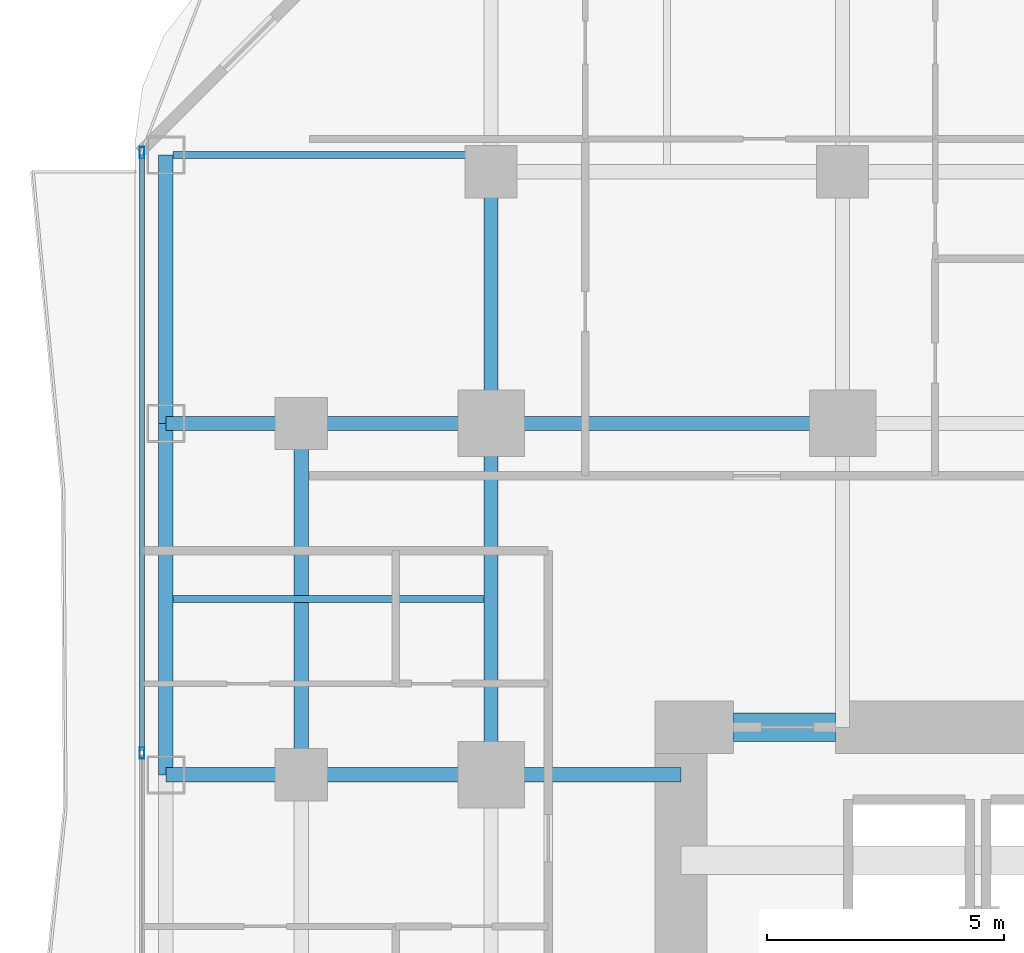
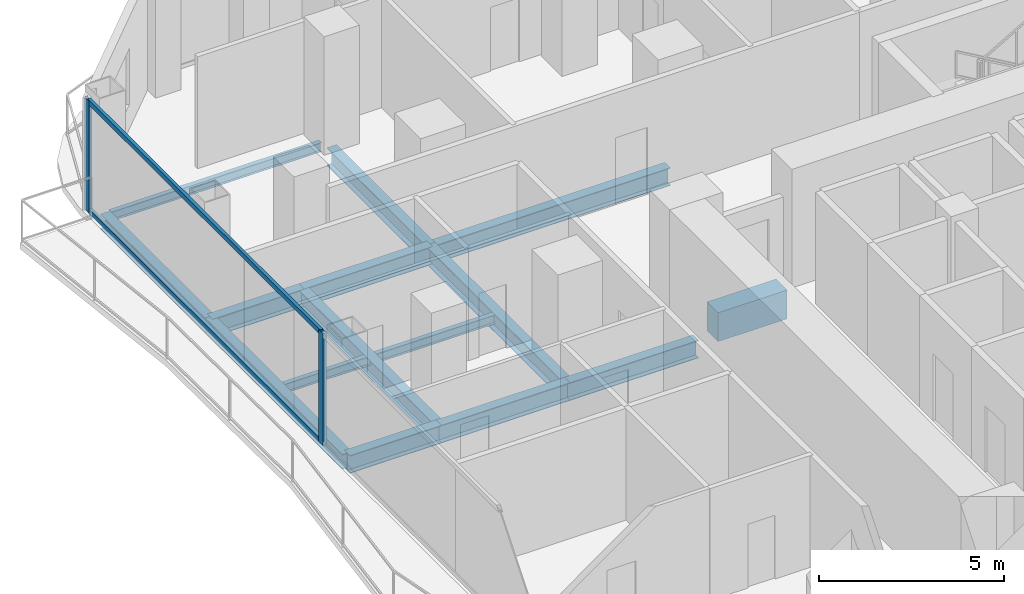
# One storey, part 13 of 28: 14 beams, 4 members, 1 element without a shape of its own.
"""IFC4 building model written with IfcOpenShell, lengths in metres."""

import ifcopenshell
import ifcopenshell.guid

model = None  # the IFC model being written
_history = None  # IfcOwnerHistory: only IFC2X3 demands one
_inside = {}  # id of a spatial element -> (the spatial element, [elements in it])
_under = {}  # id of a project, library or spatial element -> (it, [spatial elements below it])
_declared = {}  # id of a project -> (the project, [libraries it declares])
_typed = {}  # id of a type object -> (the type object, [elements of that type])
_made_of = {}  # id of a material, layer set ... -> (it, [elements and type objects made of it])


def new_model(schema):
    """Start an empty IFC model of exactly this schema.

    Asked for "IFC4X3", IfcOpenShell would pick the latest addendum, in which some entities
    have other attributes; the version numbers below select the first issue.
    IFC2X3 requires an IfcOwnerHistory on every rooted entity: one is made here for all.
    """
    global model, _history
    if schema == "IFC4X3":
        model = ifcopenshell.file(schema_version=(4, 3, 0, 0))
    else:
        model = ifcopenshell.file(schema=schema)
    _inside.clear()
    _under.clear()
    _declared.clear()
    _typed.clear()
    _made_of.clear()
    _history = None
    if model.schema == "IFC2X3":
        org = make("IfcOrganization", Name="unknown")
        user = make(
            "IfcPersonAndOrganization",
            ThePerson=make("IfcPerson", FamilyName="unknown"),
            TheOrganization=org,
        )
        app = make(
            "IfcApplication",
            ApplicationDeveloper=org,
            Version="unknown",
            ApplicationFullName="unknown",
            ApplicationIdentifier="unknown",
        )
        _history = make(
            "IfcOwnerHistory",
            OwningUser=user,
            OwningApplication=app,
            ChangeAction="ADDED",
            CreationDate=0,
        )
    return model


def make(cls, **values):
    """One entity of the class cls with the attributes given. An attribute that is None is left unset."""
    return model.create_entity(
        cls, **{name: value for name, value in values.items() if value is not None}
    )


def rooted(cls, **values):
    """An entity with a GlobalId (a new one), such as an element, a storey or a relation."""
    return make(cls, GlobalId=ifcopenshell.guid.new(), OwnerHistory=_history, **values)


def si_unit(unit_type, name, prefix=None):
    """IfcSIUnit, for example si_unit("LENGTHUNIT", "METRE", prefix="MILLI")."""
    return make("IfcSIUnit", UnitType=unit_type, Prefix=prefix, Name=name)


def assignment(units):
    """IfcUnitAssignment: the units of a project."""
    return None if units is None else make("IfcUnitAssignment", Units=units)


def point(xyz):
    """IfcCartesianPoint."""
    return None if xyz is None else make("IfcCartesianPoint", Coordinates=xyz)


def direction(xyz):
    """IfcDirection."""
    return None if xyz is None else make("IfcDirection", DirectionRatios=xyz)


def frame(location, z_axis=None, x_axis=None):
    """IfcAxis2Placement3D, a coordinate frame: its origin and axes. An axis left out is left unset."""
    return make(
        "IfcAxis2Placement3D",
        Location=point(location),
        Axis=direction(z_axis),
        RefDirection=direction(x_axis),
    )


def frame_2d(location, x_axis=None):
    """IfcAxis2Placement2D, a coordinate frame in the plane: its origin and x axis."""
    return make(
        "IfcAxis2Placement2D", Location=point(location), RefDirection=direction(x_axis)
    )


def origin():
    """The frame at (0, 0, 0) with its axes left unset."""
    return frame((0.0, 0.0, 0.0))


def origin_2d():
    """The frame at (0, 0) in the plane with its x axis left unset."""
    return frame_2d((0.0, 0.0))


def place(relative_to, where):
    """IfcLocalPlacement: puts the frame where relative to a parent placement (None: the world)."""
    return make(
        "IfcLocalPlacement", PlacementRelTo=relative_to, RelativePlacement=where
    )


def context(
    kind, dimensions, precision=None, world=None, true_north=None, identifier=None
):
    """IfcGeometricRepresentationContext, for example the 3D "Model" context."""
    return make(
        "IfcGeometricRepresentationContext",
        ContextIdentifier=identifier,
        ContextType=kind,
        CoordinateSpaceDimension=dimensions,
        Precision=precision,
        WorldCoordinateSystem=world,
        TrueNorth=true_north,
    )


def subcontext(parent, identifier, kind, view, scale=None):
    """IfcGeometricRepresentationSubContext, for example "Body" below "Model"."""
    return make(
        "IfcGeometricRepresentationSubContext",
        ContextIdentifier=identifier,
        ContextType=kind,
        ParentContext=parent,
        TargetScale=scale,
        TargetView=view,
    )


def project(units=None, contexts=None):
    """IfcProject with its units and contexts."""
    return rooted(
        "IfcProject",
        Name="project",
        RepresentationContexts=contexts,
        UnitsInContext=assignment(units),
    )


def spatial(cls, under=None, at=None, **own):
    """A site, building, storey or space (cls), placed at a placement, below another one or the project."""
    s = rooted(cls, ObjectPlacement=at, **own)
    if under is not None:
        _under.setdefault(under.id(), (under, []))[1].append(s)
    return s


def profile(cls, at=None, kind="AREA", **sizes):
    """A parametric profile (cls). Its sizes go by their IFC names, for example OverallWidth=200.0."""
    return make(cls, ProfileType=kind, Position=at, **sizes)


def rectangle(**sizes):
    """IfcRectangleProfileDef."""
    return profile("IfcRectangleProfileDef", **sizes)


def hollow_rectangle(**sizes):
    """IfcRectangleHollowProfileDef."""
    return profile("IfcRectangleHollowProfileDef", **sizes)


def i_section(**sizes):
    """IfcIShapeProfileDef."""
    return profile("IfcIShapeProfileDef", **sizes)


def extrude(swept, where, along, depth):
    """IfcExtrudedAreaSolid: the profile swept, set in the frame where, extruded along a direction by depth."""
    return make(
        "IfcExtrudedAreaSolid",
        SweptArea=swept,
        Position=where,
        ExtrudedDirection=direction(along),
        Depth=depth,
    )


def shape(context_of_items, identifier, shape_type, items):
    """IfcShapeRepresentation: the items that make up one representation, for example the "Body"."""
    return make(
        "IfcShapeRepresentation",
        ContextOfItems=context_of_items,
        RepresentationIdentifier=identifier,
        RepresentationType=shape_type,
        Items=items,
    )


def material(Name=None, Category=None):
    """IfcMaterial."""
    return make("IfcMaterial", Name=Name, Category=Category)


def layer(
    of_material, thickness, ventilated=None, Name=None, Category=None, Priority=None
):
    """IfcMaterialLayer: one layer of a wall or slab, of a material (None: an air gap)."""
    return make(
        "IfcMaterialLayer",
        Material=of_material,
        LayerThickness=thickness,
        IsVentilated=ventilated,
        Name=Name,
        Category=Category,
        Priority=Priority,
    )


def layer_set(layers, Name=None):
    """IfcMaterialLayerSet."""
    return make("IfcMaterialLayerSet", MaterialLayers=layers, LayerSetName=Name)


def material_profile(
    of_material, cross_section, Name=None, Category=None, Priority=None
):
    """IfcMaterialProfile: a cross section and its material."""
    return make(
        "IfcMaterialProfile",
        Name=Name,
        Material=of_material,
        Profile=cross_section,
        Priority=Priority,
        Category=Category,
    )


def profile_set(profiles, Name=None, composite=None):
    """IfcMaterialProfileSet."""
    return make(
        "IfcMaterialProfileSet",
        Name=Name,
        MaterialProfiles=profiles,
        CompositeProfile=composite,
    )


def made_of(thing, what):
    """Note that an element or type object is made of a material, layer set ...; save() writes the relation."""
    if what is not None:
        _made_of.setdefault(what.id(), (what, []))[1].append(thing)
    return thing


def type_object(cls, material=None, **own):
    """A type object (cls), such as IfcWallType, which elements share."""
    return made_of(rooted(cls, **own), material)


def element(
    cls,
    number,
    at=None,
    inside=None,
    cuts=None,
    type_object=None,
    material=None,
    context=None,
    identifier="Body",
    shape_type=None,
    held_by="IfcProductDefinitionShape",
    body=None,
    shapes=None,
    **own,
):
    """One element of the class cls, such as IfcWall. Its Tag is "e" and its number.

    at: its placement. inside: the storey or other place that contains it. cuts: it is an
    opening in that element (IfcRelVoidsElement). A single representation is given by context,
    identifier, shape_type and body (its items); several are given by shapes. held_by: the class
    of the entity that holds the representations. save() writes the other relations.
    """
    e = rooted(cls, Tag="e%d" % number, ObjectPlacement=at, **own)
    if body is not None:
        shapes = [shape(context, identifier, shape_type, body)]
    if shapes is not None:
        e.Representation = make(held_by, Representations=shapes)
    if inside is not None:
        _inside.setdefault(inside.id(), (inside, []))[1].append(e)
    if cuts is not None:
        rooted(
            "IfcRelVoidsElement", RelatingBuildingElement=cuts, RelatedOpeningElement=e
        )
    if type_object is not None:
        _typed.setdefault(type_object.id(), (type_object, []))[1].append(e)
    return made_of(e, material)


def aggregate(whole, parts):
    """IfcRelAggregates: a whole, such as a stair, and the parts it consists of."""
    return rooted("IfcRelAggregates", RelatingObject=whole, RelatedObjects=parts)


def save(model, path):
    """Write the relations noted so far, then the file.

    IfcRelAggregates (storeys below a building ...), IfcRelContainedInSpatialStructure (elements
    in a storey), IfcRelDefinesByType, IfcRelAssociatesMaterial and IfcRelDeclares: one each for
    every whole, place, type object, material and project.
    """
    for whole, parts in _under.values():
        aggregate(whole, parts)
    for where, things in _inside.values():
        rooted(
            "IfcRelContainedInSpatialStructure",
            RelatedElements=things,
            RelatingStructure=where,
        )
    for kind, things in _typed.values():
        rooted("IfcRelDefinesByType", RelatedObjects=things, RelatingType=kind)
    for what, things in _made_of.values():
        rooted("IfcRelAssociatesMaterial", RelatedObjects=things, RelatingMaterial=what)
    for by, libraries in _declared.values():
        rooted("IfcRelDeclares", RelatingContext=by, RelatedDefinitions=libraries)
    model.write(path)


model = new_model("IFC4")

# Units and contexts
model_context = context("Model", 3, precision=1e-05, world=origin(), true_north=direction((0.0, 1.0)))
body_context = subcontext(model_context, "Body", "Model", "MODEL_VIEW")
ifc_project = project(units=[si_unit("LENGTHUNIT", "METRE"), si_unit("AREAUNIT", "SQUARE_METRE"), si_unit("VOLUMEUNIT", "CUBIC_METRE"), si_unit("PLANEANGLEUNIT", "RADIAN"), si_unit("MASSUNIT", "GRAM", prefix="KILO")], contexts=[model_context])

# Site, building, storey
site_placement = place(None, origin())
site = spatial("IfcSite", under=ifc_project, at=site_placement, CompositionType="ELEMENT")
building_placement = place(site_placement, origin())
building = spatial("IfcBuilding", under=site, at=building_placement, Name="Khorvyn Point Tower", CompositionType="ELEMENT")
storey_placement = place(building_placement, frame((0.0, 0.0, 34.5)))
storey = spatial("IfcBuildingStorey", under=building, at=storey_placement, Name="L09", CompositionType="ELEMENT", Elevation=34.5)

# Curtain wall, members
ifc_material_1 = material(Name="Anodised aluminium 6063-T6 and laminated Low-E glass", Category="aluminium")
ifc_layer = layer(ifc_material_1, 0.18994140625)
ifc_layer_set = layer_set([ifc_layer], Name="Stick-Built Finned Residential Curtain Wall CW-SYS-02")
curtain_wall_type = type_object("IfcCurtainWallType", Name="Stick-Built Finned Residential Curtain Wall CW-SYS-02", PredefinedType="NOTDEFINED", material=ifc_layer_set)
curtain_wall_placement = place(storey_placement, origin())
curtain_wall = element("IfcCurtainWall", 1, at=curtain_wall_placement, inside=storey, type_object=curtain_wall_type, Name="Curtain Wall", PredefinedType="NOTDEFINED")
ifc_material_2 = material(Name="Anodised aluminium 6063-T6", Category="aluminium")
ifc_material_profile_1 = material_profile(ifc_material_2, hollow_rectangle(XDim=0.10009765625, YDim=0.239990234375, WallThickness=0.0048828125, at=origin_2d()))
ifc_profile_set_1 = profile_set([ifc_material_profile_1], Name="Anodised aluminium 6063-T6 ALU-MUL-100x240")
member_type_1 = type_object("IfcMemberType", Name="Anodised Aluminium 6063-T6 Mullion ALU-MUL-100x240", PredefinedType="MULLION", material=ifc_profile_set_1)
member_1_placement = place(storey_placement, frame((-22.14990234375, 7.863037109375, 0.0), z_axis=(0.0, 0.0, 1.0), x_axis=(-1.0, 0.0, 0.0)))
member_1 = element("IfcMember", 2, at=member_1_placement, type_object=member_type_1, Name="Transom", PredefinedType="MULLION", context=body_context, shape_type="SweptSolid", body=[
    extrude(hollow_rectangle(XDim=0.10009765625, YDim=0.239990234375, WallThickness=0.0048828125, at=origin_2d()), origin(), (0.0, 0.0, 1.0), 3.679931640625),
])
member_2_placement = place(storey_placement, frame((-22.14990234375, 20.5, 0.0), z_axis=(0.0, 0.0, 1.0), x_axis=(-1.0, 0.0, 0.0)))
member_2 = element("IfcMember", 3, at=member_2_placement, type_object=member_type_1, Name="Transom", PredefinedType="MULLION", context=body_context, shape_type="SweptSolid", body=[
    extrude(hollow_rectangle(XDim=0.10009765625, YDim=0.239990234375, WallThickness=0.0048828125, at=origin_2d()), origin(), (0.0, 0.0, 1.0), 3.679931640625),
])
ifc_material_profile_2 = material_profile(ifc_material_2, hollow_rectangle(XDim=0.10009765625, YDim=0.159912109375, WallThickness=0.00439453125, at=origin_2d()))
ifc_profile_set_2 = profile_set([ifc_material_profile_2], Name="Anodised aluminium 6063-T6 ALU-TRN-100x160")
member_type_2 = type_object("IfcMemberType", Name="Anodised Aluminium 6063-T6 Transom ALU-TRN-100x160", PredefinedType="USERDEFINED", material=ifc_profile_set_2)
member_3_placement = place(storey_placement, frame((-22.14990234375, 7.9130859375, 0.050048828125), z_axis=(0.0, 1.0, 0.0), x_axis=(-1.0, 0.0, 0.0)))
member_3 = element("IfcMember", 4, at=member_3_placement, type_object=member_type_2, Name="Transom", ObjectType="TRANSOM", PredefinedType="USERDEFINED", context=body_context, shape_type="SweptSolid", body=[
    extrude(hollow_rectangle(XDim=0.10009765625, YDim=0.159912109375, WallThickness=0.00439453125, at=origin_2d()), origin(), (0.0, 0.0, 1.0), 12.536865234375),
])
member_4_placement = place(storey_placement, frame((-22.14990234375, 7.9130859375, 3.6298828125), z_axis=(0.0, 1.0, 0.0), x_axis=(-1.0, 0.0, 0.0)))
member_4 = element("IfcMember", 5, at=member_4_placement, type_object=member_type_2, Name="Transom", ObjectType="TRANSOM", PredefinedType="USERDEFINED", context=body_context, shape_type="SweptSolid", body=[
    extrude(hollow_rectangle(XDim=0.10009765625, YDim=0.159912109375, WallThickness=0.00439453125, at=origin_2d()), origin(), (0.0, 0.0, 1.0), 12.536865234375),
])
aggregate(curtain_wall, [member_1, member_2, member_3, member_4])

# Beams
ifc_material_3 = material(Name="Concrete C50/60", Category="concrete")
ifc_material_profile_3 = material_profile(ifc_material_3, rectangle(XDim=0.60009765625, YDim=0.949951171875, at=origin_2d()))
ifc_profile_set_3 = profile_set([ifc_material_profile_3], Name="Concrete C50/60 RC600x950")
beam_type_1 = type_object("IfcBeamType", Name="Concrete C50/60 Beam RC600x950", PredefinedType="BEAM", material=ifc_profile_set_3)
beam_1_placement = place(storey_placement, frame((-9.699951171875, 8.39990234375, -0.695068359375), z_axis=(1.0, 0.0, 0.0), x_axis=(0.0, 1.0, 0.0)))
element("IfcBeam", 6, at=beam_1_placement, inside=storey, type_object=beam_type_1, Name="L09 Core Northwest Portal Coupling Beam", PredefinedType="BEAM", context=body_context, shape_type="SweptSolid", body=[
    extrude(rectangle(XDim=0.60009765625, YDim=0.949951171875, at=origin_2d()), origin(), (0.0, 0.0, 1.0), 2.14990234375),
])
ifc_material_4 = material(Name="Steel S355", Category="steel")
ifc_material_profile_4 = material_profile(ifc_material_4, i_section(OverallWidth=0.300048828125, OverallDepth=0.587890625, WebThickness=0.011962890625, FlangeThickness=0.02001953125, at=origin_2d()))
ifc_profile_set_4 = profile_set([ifc_material_profile_4], Name="Steel S355 H588x300x12x20")
beam_type_2 = type_object("IfcBeamType", Name="Steel S355 Beam H588x300x12x20", PredefinedType="BEAM", material=ifc_profile_set_4)
beam_2_placement = place(storey_placement, frame((-21.64990234375, 14.800048828125, -0.513916015625), z_axis=(1.0, 0.0, 0.0), x_axis=(0.0, 1.0, 0.0)))
element("IfcBeam", 7, at=beam_2_placement, inside=storey, type_object=beam_type_2, Name="Beam", PredefinedType="BEAM", context=body_context, shape_type="SweptSolid", body=[
    extrude(i_section(OverallWidth=0.300048828125, OverallDepth=0.587890625, WebThickness=0.011962890625, FlangeThickness=0.02001953125, at=origin_2d()), origin(), (0.0, 0.0, 1.0), 2.849853515625),
])
beam_3_placement = place(storey_placement, frame((-18.800048828125, 14.800048828125, -0.513916015625), z_axis=(1.0, 0.0, 0.0), x_axis=(0.0, 1.0, 0.0)))
element("IfcBeam", 8, at=beam_3_placement, inside=storey, type_object=beam_type_2, Name="Beam", PredefinedType="BEAM", context=body_context, shape_type="SweptSolid", body=[
    extrude(i_section(OverallWidth=0.300048828125, OverallDepth=0.587890625, WebThickness=0.011962890625, FlangeThickness=0.02001953125, at=origin_2d()), origin(), (0.0, 0.0, 1.0), 4.0),
])
beam_4_placement = place(storey_placement, frame((-14.800048828125, 14.800048828125, -0.513916015625), z_axis=(1.0, 0.0, 0.0), x_axis=(0.0, 1.0, 0.0)))
element("IfcBeam", 9, at=beam_4_placement, inside=storey, type_object=beam_type_2, Name="Beam", PredefinedType="BEAM", context=body_context, shape_type="SweptSolid", body=[
    extrude(i_section(OverallWidth=0.300048828125, OverallDepth=0.587890625, WebThickness=0.011962890625, FlangeThickness=0.02001953125, at=origin_2d()), origin(), (0.0, 0.0, 1.0), 7.400146484375),
])
beam_5_placement = place(storey_placement, frame((-21.64990234375, 7.39990234375, -0.513916015625), z_axis=(1.0, 0.0, 0.0), x_axis=(0.0, 1.0, 0.0)))
element("IfcBeam", 10, at=beam_5_placement, inside=storey, type_object=beam_type_2, Name="Beam", PredefinedType="BEAM", context=body_context, shape_type="SweptSolid", body=[
    extrude(i_section(OverallWidth=0.300048828125, OverallDepth=0.587890625, WebThickness=0.011962890625, FlangeThickness=0.02001953125, at=origin_2d()), origin(), (0.0, 0.0, 1.0), 2.849853515625),
])
for number, where, z_axis, x_axis, name in (
    (11, (-18.800048828125, 7.39990234375, -0.513916015625), (1.0, 0.0, 0.0), (0.0, 1.0, 0.0), "Beam"),
    (12, (-14.800048828125, 7.39990234375, -0.513916015625), (1.0, 0.0, 0.0), (0.0, 1.0, 0.0), "Beam"),
):
    element("IfcBeam", number, at=place(storey_placement, frame(where, z_axis=z_axis, x_axis=x_axis)), inside=storey, type_object=beam_type_2, Name=name, PredefinedType="BEAM", context=body_context, shape_type="SweptSolid", body=[
        extrude(i_section(OverallWidth=0.300048828125, OverallDepth=0.587890625, WebThickness=0.011962890625, FlangeThickness=0.02001953125, at=origin_2d()), origin(), (0.0, 0.0, 1.0), 4.0),
    ])
beam_6_placement = place(storey_placement, frame((-14.800048828125, 7.39990234375, -0.513916015625), z_axis=(0.0, 1.0, 0.0), x_axis=(-1.0, 0.0, 0.0)))
element("IfcBeam", 13, at=beam_6_placement, inside=storey, type_object=beam_type_2, Name="Beam", PredefinedType="BEAM", context=body_context, shape_type="SweptSolid", body=[
    extrude(i_section(OverallWidth=0.300048828125, OverallDepth=0.587890625, WebThickness=0.011962890625, FlangeThickness=0.02001953125, at=origin_2d()), origin(), (0.0, 0.0, 1.0), 7.400146484375),
])
beam_7_placement = place(storey_placement, frame((-14.800048828125, 14.800048828125, -0.513916015625), z_axis=(0.0, 1.0, 0.0), x_axis=(-1.0, 0.0, 0.0)))
element("IfcBeam", 14, at=beam_7_placement, inside=storey, type_object=beam_type_2, Name="Beam", PredefinedType="BEAM", context=body_context, shape_type="SweptSolid", body=[
    extrude(i_section(OverallWidth=0.300048828125, OverallDepth=0.587890625, WebThickness=0.011962890625, FlangeThickness=0.02001953125, at=origin_2d()), origin(), (0.0, 0.0, 1.0), 5.300048828125),
])
beam_8_placement = place(storey_placement, frame((-18.800048828125, 7.39990234375, -0.513916015625), z_axis=(0.0, 1.0, 0.0), x_axis=(-1.0, 0.0, 0.0)))
element("IfcBeam", 15, at=beam_8_placement, inside=storey, type_object=beam_type_2, Name="Beam", PredefinedType="BEAM", context=body_context, shape_type="SweptSolid", body=[
    extrude(i_section(OverallWidth=0.300048828125, OverallDepth=0.587890625, WebThickness=0.011962890625, FlangeThickness=0.02001953125, at=origin_2d()), origin(), (0.0, 0.0, 1.0), 7.400146484375),
])
ifc_material_profile_5 = material_profile(ifc_material_4, i_section(OverallWidth=0.14990234375, OverallDepth=0.300048828125, WebThickness=0.006591796875, FlangeThickness=0.009033203125, at=origin_2d()))
ifc_profile_set_5 = profile_set([ifc_material_profile_5], Name="Steel S355 H300x150x6.5x9")
beam_type_3 = type_object("IfcBeamType", Name="Steel S355 Joist H300x150x6.5x9", PredefinedType="JOIST", material=ifc_profile_set_5)
for number, where, z_axis, x_axis, name in (
    (16, (-21.5, 11.10009765625, -0.3701171875), (1.0, 0.0, 0.0), (0.0, 1.0, 0.0), "Beam"),
    (17, (-21.5, 20.449951171875, -0.3701171875), (1.0, 0.0, 0.0), (0.0, 1.0, 0.0), "Beam"),
):
    element("IfcBeam", number, at=place(storey_placement, frame(where, z_axis=z_axis, x_axis=x_axis)), inside=storey, type_object=beam_type_3, Name=name, PredefinedType="JOIST", context=body_context, shape_type="SweptSolid", body=[
        extrude(i_section(OverallWidth=0.14990234375, OverallDepth=0.300048828125, WebThickness=0.006591796875, FlangeThickness=0.009033203125, at=origin_2d()), origin(), (0.0, 0.0, 1.0), 6.550048828125),
    ])
ifc_material_profile_6 = material_profile(ifc_material_4, i_section(OverallWidth=0.300048828125, OverallDepth=0.488037109375, WebThickness=0.010986328125, FlangeThickness=0.01806640625, at=origin_2d()))
ifc_profile_set_6 = profile_set([ifc_material_profile_6], Name="Steel S355 H488x300x11x18")
beam_type_4 = type_object("IfcBeamType", Name="Steel S355 Spandrel H488x300x11x18", PredefinedType="SPANDREL", material=ifc_profile_set_6)
beam_9_placement = place(storey_placement, frame((-21.64990234375, 7.39990234375, -0.464111328125), z_axis=(0.0, 1.0, 0.0), x_axis=(-1.0, 0.0, 0.0)))
element("IfcBeam", 18, at=beam_9_placement, inside=storey, type_object=beam_type_4, Name="Beam", PredefinedType="SPANDREL", context=body_context, shape_type="SweptSolid", body=[
    extrude(i_section(OverallWidth=0.300048828125, OverallDepth=0.488037109375, WebThickness=0.010986328125, FlangeThickness=0.01806640625, at=origin_2d()), origin(), (0.0, 0.0, 1.0), 7.400146484375),
])
beam_10_placement = place(storey_placement, frame((-21.64990234375, 14.800048828125, -0.464111328125), z_axis=(0.0, 1.0, 0.0), x_axis=(-1.0, 0.0, 0.0)))
element("IfcBeam", 19, at=beam_10_placement, inside=storey, type_object=beam_type_4, Name="Beam", PredefinedType="SPANDREL", context=body_context, shape_type="SweptSolid", body=[
    extrude(i_section(OverallWidth=0.300048828125, OverallDepth=0.488037109375, WebThickness=0.010986328125, FlangeThickness=0.01806640625, at=origin_2d()), origin(), (0.0, 0.0, 1.0), 5.64990234375),
])

save(model, "model.ifc")
